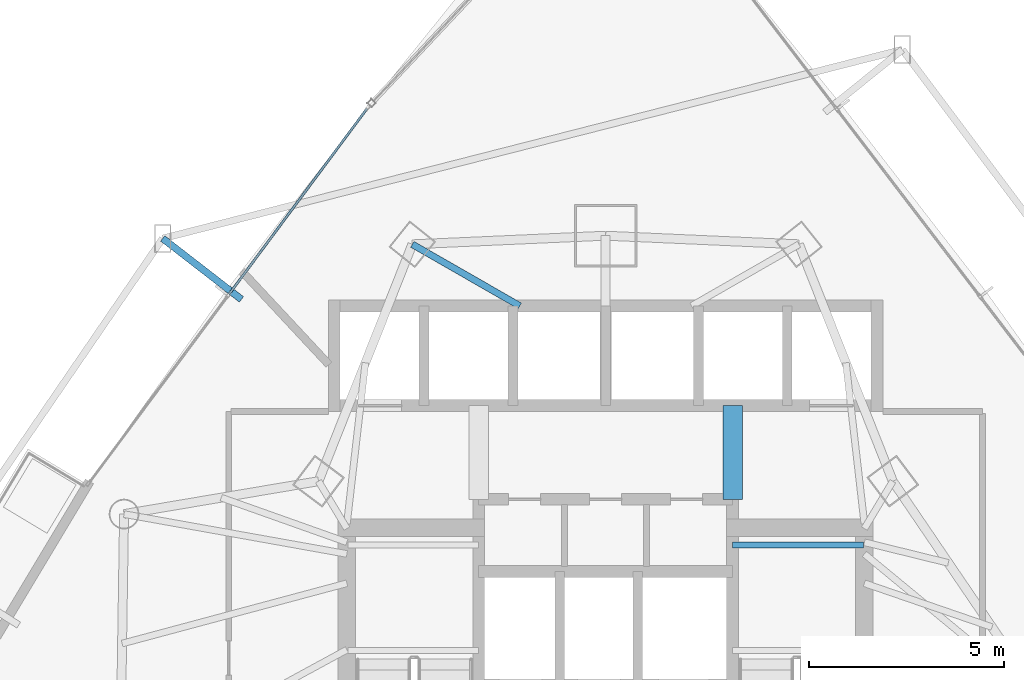
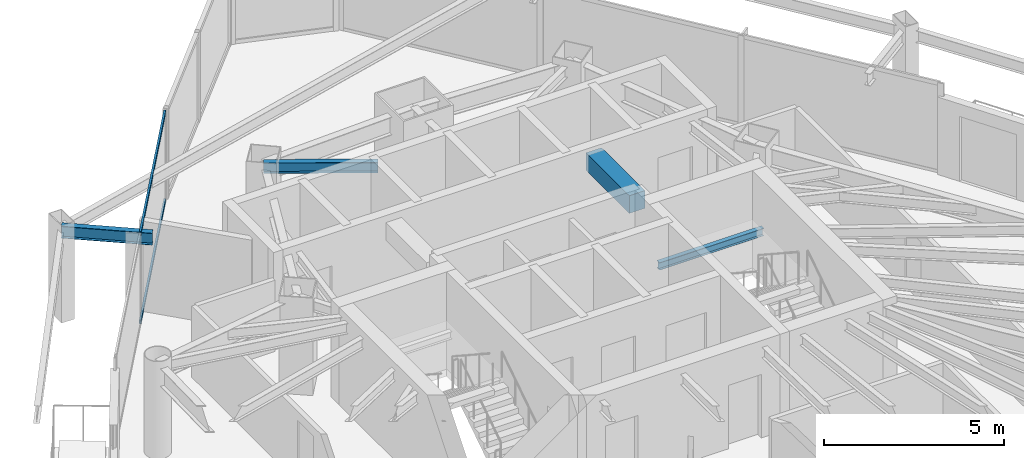
# One storey, part 20 of 33: 4 beams, 2 members, 1 element without a shape of its own.
"""IFC4 building model written with IfcOpenShell, lengths in metres."""

from ifc_helpers import new_model, si_unit, direction, frame, origin, origin_2d, place, context, subcontext, project, spatial, rectangle, hollow_rectangle, i_section, extrude, material, layer, layer_set, material_profile, profile_set, type_object, element, aggregate, save


model = new_model("IFC4")

# Units and contexts
model_context = context("Model", 3, precision=1e-05, world=origin(), true_north=direction((0.0, 1.0)))
body_context = subcontext(model_context, "Body", "Model", "MODEL_VIEW")
ifc_project = project(units=[si_unit("LENGTHUNIT", "METRE"), si_unit("AREAUNIT", "SQUARE_METRE"), si_unit("VOLUMEUNIT", "CUBIC_METRE"), si_unit("PLANEANGLEUNIT", "RADIAN"), si_unit("MASSUNIT", "GRAM", prefix="KILO")], contexts=[model_context])

# Site, building, storey
site_placement = place(None, origin())
site = spatial("IfcSite", under=ifc_project, at=site_placement, CompositionType="ELEMENT")
building_placement = place(site_placement, origin())
building = spatial("IfcBuilding", under=site, at=building_placement, Name="Orvanel Arch Residences", CompositionType="ELEMENT")
storey_placement = place(building_placement, frame((0.0, 0.0, 90.64990234375)))
storey = spatial("IfcBuildingStorey", under=building, at=storey_placement, Name="L25", CompositionType="ELEMENT", Elevation=90.64990234375)

# Beams
ifc_material_1 = material(Name="Structural steel AS/NZS 3679.1 Grade 300 (300 MPa)", Category="steel")
ifc_material_profile_1 = material_profile(ifc_material_1, i_section(OverallWidth=0.14599609375, OverallDepth=0.251953125, WebThickness=0.006103515625, FlangeThickness=0.008544921875, at=origin_2d()), Name="250UB31.4")
ifc_profile_set_1 = profile_set([ifc_material_profile_1], Name="Structural steel AS/NZS 3679.1 Grade 300 (300 MPa)")
beam_type_1 = type_object("IfcBeamType", Name="BJ-250UB", PredefinedType="JOIST", material=ifc_profile_set_1)
beam_1_placement = place(storey_placement, frame((36.25, 33.47998046875, 1.32421875), z_axis=(1.0, 0.0, 0.0), x_axis=(0.0, 1.0, 0.0)))
element("IfcBeam", 1, at=beam_1_placement, inside=storey, type_object=beam_type_1, Name="L25 ST-2 Half-Landing Support Beam 1.2", PredefinedType="JOIST", context=body_context, shape_type="SweptSolid", body=[
    extrude(i_section(OverallWidth=0.14599609375, OverallDepth=0.251953125, WebThickness=0.006103515625, FlangeThickness=0.008544921875, at=origin_2d()), origin(), (0.0, 0.0, 1.0), 3.35009765625),
])
ifc_material_profile_2 = material_profile(ifc_material_1, i_section(OverallWidth=0.1708984375, OverallDepth=0.35595703125, WebThickness=0.00732421875, FlangeThickness=0.011474609375, at=origin_2d()), Name="360UB50.7")
ifc_profile_set_2 = profile_set([ifc_material_profile_2], Name="Structural steel AS/NZS 3679.1 Grade 300 (300 MPa)")
beam_type_2 = type_object("IfcBeamType", Name="BJ-360UB", PredefinedType="JOIST", material=ifc_profile_set_2)
beam_2_placement = place(storey_placement, frame((30.800048828125, 39.60009765625, 2.882080078125), z_axis=(-0.86736513383, 0.497672306458, 0.0), x_axis=(-0.497672306458, -0.86736513383, 0.0)))
element("IfcBeam", 2, at=beam_2_placement, inside=storey, type_object=beam_type_2, Name="L25 MNW Wing Floor Joist", PredefinedType="JOIST", context=body_context, shape_type="SweptSolid", body=[
    extrude(i_section(OverallWidth=0.1708984375, OverallDepth=0.35595703125, WebThickness=0.00732421875, FlangeThickness=0.011474609375, at=origin_2d()), origin(), (0.0, 0.0, 1.0), 3.17041015625),
])
ifc_material_2 = material(Name="Concrete S65 (65 MPa)", Category="concrete")
ifc_material_profile_3 = material_profile(ifc_material_2, rectangle(XDim=0.5, YDim=0.60009765625, at=origin_2d()), Name="RC500x600")
ifc_profile_set_3 = profile_set([ifc_material_profile_3], Name="Concrete S65 (65 MPa)")
beam_type_3 = type_object("IfcBeamType", Name="CB-500x600", PredefinedType="LINTEL", material=ifc_profile_set_3)
beam_3_placement = place(storey_placement, frame((36.25, 34.64990234375, 2.760009765625), z_axis=(0.0, 1.0, 0.0), x_axis=(-1.0, 0.0, 0.0)))
element("IfcBeam", 3, at=beam_3_placement, inside=storey, type_object=beam_type_3, Name="L25 East Core Lobby Coupling Lintel Beam", PredefinedType="LINTEL", context=body_context, shape_type="SweptSolid", body=[
    extrude(rectangle(XDim=0.5, YDim=0.60009765625, at=origin_2d()), origin(), (0.0, 0.0, 1.0), 2.400146484375),
])
ifc_material_profile_4 = material_profile(ifc_material_1, i_section(OverallWidth=0.177978515625, OverallDepth=0.406005859375, WebThickness=0.0078125, FlangeThickness=0.0126953125, at=origin_2d()), Name="410UB59.7")
ifc_profile_set_4 = profile_set([ifc_material_profile_4], Name="Structural steel AS/NZS 3679.1 Grade 300 (300 MPa)")
beam_type_4 = type_object("IfcBeamType", Name="OB-410UB-EXT", PredefinedType="SPANDREL", material=ifc_profile_set_4)
beam_4_placement = place(storey_placement, frame((23.675048828125, 39.76708984375, 2.857177734375), z_axis=(-0.790737164079, 0.612155811329, 0.0), x_axis=(-0.612155811329, -0.790737164079, 0.0)))
element("IfcBeam", 4, at=beam_4_placement, inside=storey, type_object=beam_type_4, Name="L25 Outer Frame Radial Tie Beam 01", PredefinedType="SPANDREL", context=body_context, shape_type="SweptSolid", body=[
    extrude(i_section(OverallWidth=0.177978515625, OverallDepth=0.406005859375, WebThickness=0.0078125, FlangeThickness=0.0126953125, at=origin_2d()), origin(), (0.0, 0.0, 1.0), 2.549560546875),
])

# Curtain wall, members
ifc_material_3 = material(Name="Bronze-anodised aluminium AA6063-T6", Category="aluminium")
ifc_layer = layer(ifc_material_3, 0.179931640625)
ifc_layer_set = layer_set([ifc_layer], Name="Bronze-anodised aluminium AA6063-T6")
curtain_wall_type = type_object("IfcCurtainWallType", Name="CW2-LOW-SYS", PredefinedType="NOTDEFINED", material=ifc_layer_set)
curtain_wall_placement = place(storey_placement, origin())
curtain_wall = element("IfcCurtainWall", 5, at=curtain_wall_placement, inside=storey, type_object=curtain_wall_type, Name="L25 CW2-LOW-SYS Unitised Curtain Wall", PredefinedType="NOTDEFINED")
ifc_material_profile_5 = material_profile(ifc_material_3, hollow_rectangle(XDim=0.06005859375, YDim=0.135009765625, WallThickness=0.00390625, at=origin_2d()), Name="ALU135x60x4")
ifc_profile_set_5 = profile_set([ifc_material_profile_5], Name="Bronze-anodised aluminium AA6063-T6")
member_type = type_object("IfcMemberType", Name="TRN-135x60", PredefinedType="USERDEFINED", material=ifc_profile_set_5)
member_1_placement = place(storey_placement, frame((26.88818359375, 44.65087890625, 0.030029296875), z_axis=(-0.596515409938, -0.802601623289, 0.0), x_axis=(0.802601623289, -0.596515409938, 0.0)))
member_1 = element("IfcMember", 6, at=member_1_placement, type_object=member_type, Name="CW-S2 transom 1.1", ObjectType="TRANSOM", PredefinedType="USERDEFINED", context=body_context, shape_type="SweptSolid", body=[
    extrude(hollow_rectangle(XDim=0.06005859375, YDim=0.135009765625, WallThickness=0.00390625, at=origin_2d()), origin(), (0.0, 0.0, 1.0), 5.917236328125),
])
member_2_placement = place(storey_placement, frame((26.88818359375, 44.65087890625, 3.030029296875), z_axis=(-0.596515409938, -0.802601623289, 0.0), x_axis=(0.802601623289, -0.596515409938, 0.0)))
member_2 = element("IfcMember", 7, at=member_2_placement, type_object=member_type, Name="CW-S2 transom 1.2", ObjectType="TRANSOM", PredefinedType="USERDEFINED", context=body_context, shape_type="SweptSolid", body=[
    extrude(hollow_rectangle(XDim=0.06005859375, YDim=0.135009765625, WallThickness=0.00390625, at=origin_2d()), origin(), (0.0, 0.0, 1.0), 5.917236328125),
])
aggregate(curtain_wall, [member_1, member_2])

save(model, "model.ifc")
